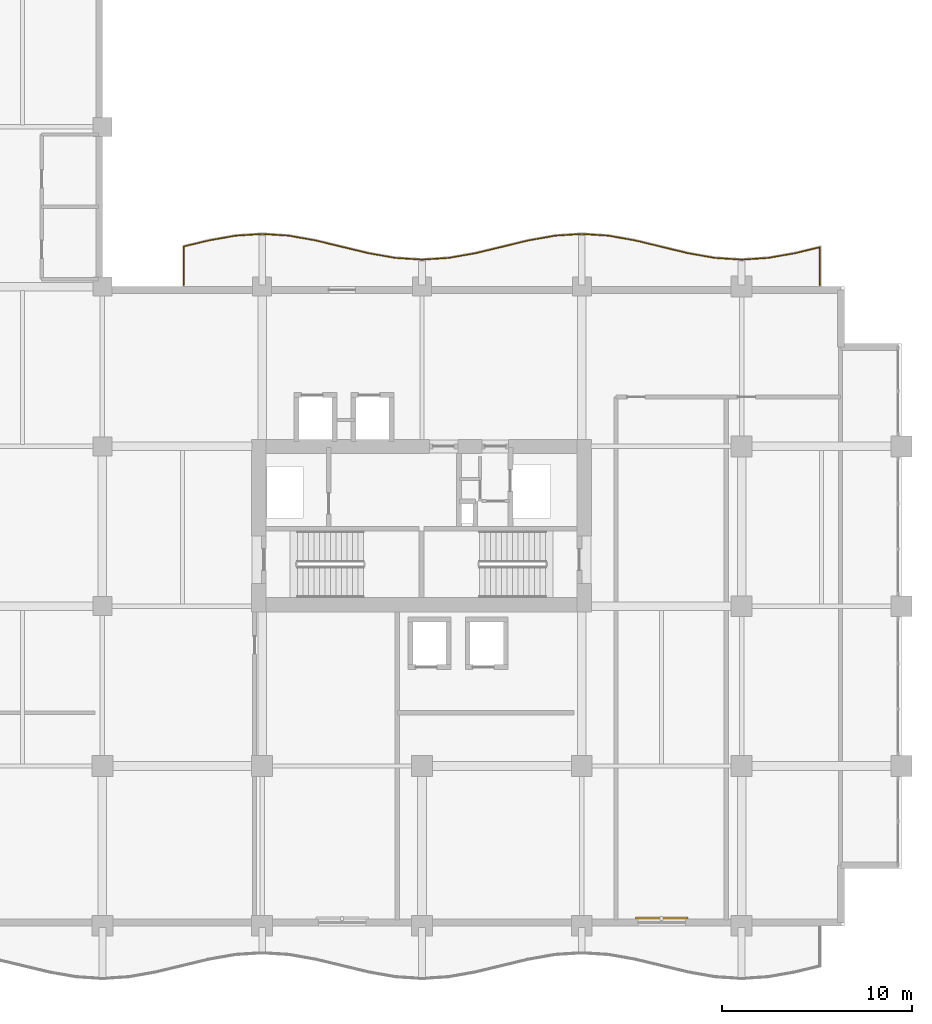
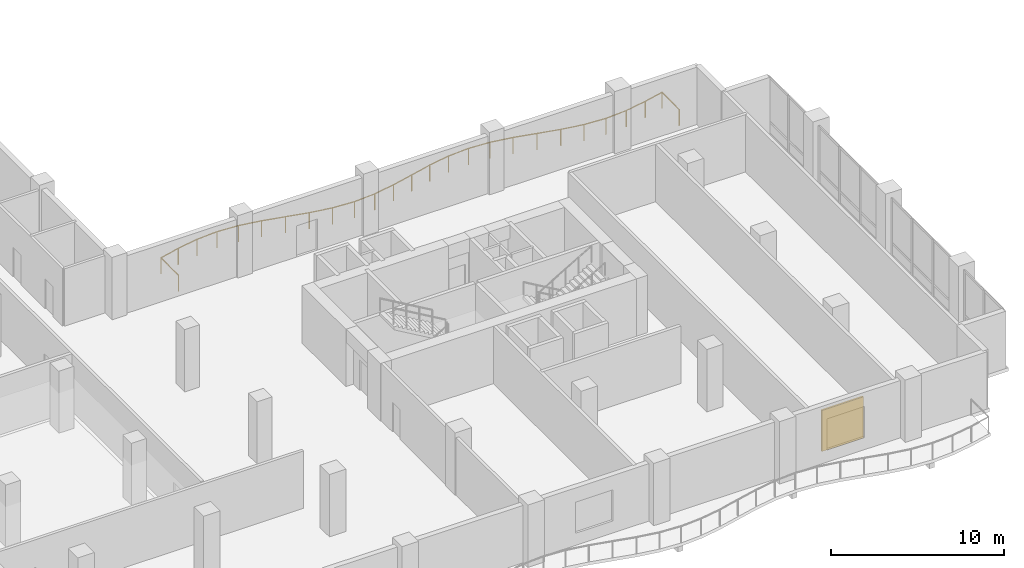
# One storey, part 25 of 25: 1 railing, 1 shading device.
"""IFC4 building model written with IfcOpenShell, lengths in metres."""

import ifcopenshell
import ifcopenshell.guid

model = None  # the IFC model being written
_history = None  # IfcOwnerHistory: only IFC2X3 demands one
_inside = {}  # id of a spatial element -> (the spatial element, [elements in it])
_under = {}  # id of a project, library or spatial element -> (it, [spatial elements below it])
_declared = {}  # id of a project -> (the project, [libraries it declares])
_typed = {}  # id of a type object -> (the type object, [elements of that type])
_made_of = {}  # id of a material, layer set ... -> (it, [elements and type objects made of it])


def new_model(schema):
    """Start an empty IFC model of exactly this schema.

    Asked for "IFC4X3", IfcOpenShell would pick the latest addendum, in which some entities
    have other attributes; the version numbers below select the first issue.
    IFC2X3 requires an IfcOwnerHistory on every rooted entity: one is made here for all.
    """
    global model, _history
    if schema == "IFC4X3":
        model = ifcopenshell.file(schema_version=(4, 3, 0, 0))
    else:
        model = ifcopenshell.file(schema=schema)
    _inside.clear()
    _under.clear()
    _declared.clear()
    _typed.clear()
    _made_of.clear()
    _history = None
    if model.schema == "IFC2X3":
        org = make("IfcOrganization", Name="unknown")
        user = make(
            "IfcPersonAndOrganization",
            ThePerson=make("IfcPerson", FamilyName="unknown"),
            TheOrganization=org,
        )
        app = make(
            "IfcApplication",
            ApplicationDeveloper=org,
            Version="unknown",
            ApplicationFullName="unknown",
            ApplicationIdentifier="unknown",
        )
        _history = make(
            "IfcOwnerHistory",
            OwningUser=user,
            OwningApplication=app,
            ChangeAction="ADDED",
            CreationDate=0,
        )
    return model


def make(cls, **values):
    """One entity of the class cls with the attributes given. An attribute that is None is left unset."""
    return model.create_entity(
        cls, **{name: value for name, value in values.items() if value is not None}
    )


def rooted(cls, **values):
    """An entity with a GlobalId (a new one), such as an element, a storey or a relation."""
    return make(cls, GlobalId=ifcopenshell.guid.new(), OwnerHistory=_history, **values)


def si_unit(unit_type, name, prefix=None):
    """IfcSIUnit, for example si_unit("LENGTHUNIT", "METRE", prefix="MILLI")."""
    return make("IfcSIUnit", UnitType=unit_type, Prefix=prefix, Name=name)


def assignment(units):
    """IfcUnitAssignment: the units of a project."""
    return None if units is None else make("IfcUnitAssignment", Units=units)


def point(xyz):
    """IfcCartesianPoint."""
    return None if xyz is None else make("IfcCartesianPoint", Coordinates=xyz)


def direction(xyz):
    """IfcDirection."""
    return None if xyz is None else make("IfcDirection", DirectionRatios=xyz)


def frame(location, z_axis=None, x_axis=None):
    """IfcAxis2Placement3D, a coordinate frame: its origin and axes. An axis left out is left unset."""
    return make(
        "IfcAxis2Placement3D",
        Location=point(location),
        Axis=direction(z_axis),
        RefDirection=direction(x_axis),
    )


def frame_2d(location, x_axis=None):
    """IfcAxis2Placement2D, a coordinate frame in the plane: its origin and x axis."""
    return make(
        "IfcAxis2Placement2D", Location=point(location), RefDirection=direction(x_axis)
    )


def origin():
    """The frame at (0, 0, 0) with its axes left unset."""
    return frame((0.0, 0.0, 0.0))


def origin_2d():
    """The frame at (0, 0) in the plane with its x axis left unset."""
    return frame_2d((0.0, 0.0))


def place(relative_to, where):
    """IfcLocalPlacement: puts the frame where relative to a parent placement (None: the world)."""
    return make(
        "IfcLocalPlacement", PlacementRelTo=relative_to, RelativePlacement=where
    )


def context(
    kind, dimensions, precision=None, world=None, true_north=None, identifier=None
):
    """IfcGeometricRepresentationContext, for example the 3D "Model" context."""
    return make(
        "IfcGeometricRepresentationContext",
        ContextIdentifier=identifier,
        ContextType=kind,
        CoordinateSpaceDimension=dimensions,
        Precision=precision,
        WorldCoordinateSystem=world,
        TrueNorth=true_north,
    )


def subcontext(parent, identifier, kind, view, scale=None):
    """IfcGeometricRepresentationSubContext, for example "Body" below "Model"."""
    return make(
        "IfcGeometricRepresentationSubContext",
        ContextIdentifier=identifier,
        ContextType=kind,
        ParentContext=parent,
        TargetScale=scale,
        TargetView=view,
    )


def project(units=None, contexts=None):
    """IfcProject with its units and contexts."""
    return rooted(
        "IfcProject",
        Name="project",
        RepresentationContexts=contexts,
        UnitsInContext=assignment(units),
    )


def spatial(cls, under=None, at=None, **own):
    """A site, building, storey or space (cls), placed at a placement, below another one or the project."""
    s = rooted(cls, ObjectPlacement=at, **own)
    if under is not None:
        _under.setdefault(under.id(), (under, []))[1].append(s)
    return s


def profile(cls, at=None, kind="AREA", **sizes):
    """A parametric profile (cls). Its sizes go by their IFC names, for example OverallWidth=200.0."""
    return make(cls, ProfileType=kind, Position=at, **sizes)


def rectangle(**sizes):
    """IfcRectangleProfileDef."""
    return profile("IfcRectangleProfileDef", **sizes)


def circle(**sizes):
    """IfcCircleProfileDef."""
    return profile("IfcCircleProfileDef", **sizes)


def extrude(swept, where, along, depth):
    """IfcExtrudedAreaSolid: the profile swept, set in the frame where, extruded along a direction by depth."""
    return make(
        "IfcExtrudedAreaSolid",
        SweptArea=swept,
        Position=where,
        ExtrudedDirection=direction(along),
        Depth=depth,
    )


def shape(context_of_items, identifier, shape_type, items):
    """IfcShapeRepresentation: the items that make up one representation, for example the "Body"."""
    return make(
        "IfcShapeRepresentation",
        ContextOfItems=context_of_items,
        RepresentationIdentifier=identifier,
        RepresentationType=shape_type,
        Items=items,
    )


def material(Name=None, Category=None):
    """IfcMaterial."""
    return make("IfcMaterial", Name=Name, Category=Category)


def layer(
    of_material, thickness, ventilated=None, Name=None, Category=None, Priority=None
):
    """IfcMaterialLayer: one layer of a wall or slab, of a material (None: an air gap)."""
    return make(
        "IfcMaterialLayer",
        Material=of_material,
        LayerThickness=thickness,
        IsVentilated=ventilated,
        Name=Name,
        Category=Category,
        Priority=Priority,
    )


def layer_set(layers, Name=None):
    """IfcMaterialLayerSet."""
    return make("IfcMaterialLayerSet", MaterialLayers=layers, LayerSetName=Name)


def made_of(thing, what):
    """Note that an element or type object is made of a material, layer set ...; save() writes the relation."""
    if what is not None:
        _made_of.setdefault(what.id(), (what, []))[1].append(thing)
    return thing


def type_object(cls, material=None, **own):
    """A type object (cls), such as IfcWallType, which elements share."""
    return made_of(rooted(cls, **own), material)


def element(
    cls,
    number,
    at=None,
    inside=None,
    cuts=None,
    type_object=None,
    material=None,
    context=None,
    identifier="Body",
    shape_type=None,
    held_by="IfcProductDefinitionShape",
    body=None,
    shapes=None,
    **own,
):
    """One element of the class cls, such as IfcWall. Its Tag is "e" and its number.

    at: its placement. inside: the storey or other place that contains it. cuts: it is an
    opening in that element (IfcRelVoidsElement). A single representation is given by context,
    identifier, shape_type and body (its items); several are given by shapes. held_by: the class
    of the entity that holds the representations. save() writes the other relations.
    """
    e = rooted(cls, Tag="e%d" % number, ObjectPlacement=at, **own)
    if body is not None:
        shapes = [shape(context, identifier, shape_type, body)]
    if shapes is not None:
        e.Representation = make(held_by, Representations=shapes)
    if inside is not None:
        _inside.setdefault(inside.id(), (inside, []))[1].append(e)
    if cuts is not None:
        rooted(
            "IfcRelVoidsElement", RelatingBuildingElement=cuts, RelatedOpeningElement=e
        )
    if type_object is not None:
        _typed.setdefault(type_object.id(), (type_object, []))[1].append(e)
    return made_of(e, material)


def aggregate(whole, parts):
    """IfcRelAggregates: a whole, such as a stair, and the parts it consists of."""
    return rooted("IfcRelAggregates", RelatingObject=whole, RelatedObjects=parts)


def save(model, path):
    """Write the relations noted so far, then the file.

    IfcRelAggregates (storeys below a building ...), IfcRelContainedInSpatialStructure (elements
    in a storey), IfcRelDefinesByType, IfcRelAssociatesMaterial and IfcRelDeclares: one each for
    every whole, place, type object, material and project.
    """
    for whole, parts in _under.values():
        aggregate(whole, parts)
    for where, things in _inside.values():
        rooted(
            "IfcRelContainedInSpatialStructure",
            RelatedElements=things,
            RelatingStructure=where,
        )
    for kind, things in _typed.values():
        rooted("IfcRelDefinesByType", RelatedObjects=things, RelatingType=kind)
    for what, things in _made_of.values():
        rooted("IfcRelAssociatesMaterial", RelatedObjects=things, RelatingMaterial=what)
    for by, libraries in _declared.values():
        rooted("IfcRelDeclares", RelatingContext=by, RelatedDefinitions=libraries)
    model.write(path)


model = new_model("IFC4")

# Units and contexts
model_context = context("Model", 3, precision=1e-05, world=origin(), true_north=direction((0.0, 1.0)))
body_context = subcontext(model_context, "Body", "Model", "MODEL_VIEW")
ifc_project = project(units=[si_unit("LENGTHUNIT", "METRE"), si_unit("AREAUNIT", "SQUARE_METRE"), si_unit("VOLUMEUNIT", "CUBIC_METRE"), si_unit("PLANEANGLEUNIT", "RADIAN"), si_unit("MASSUNIT", "GRAM", prefix="KILO")], contexts=[model_context])

# Site, building, storey
site_placement = place(None, origin())
site = spatial("IfcSite", under=ifc_project, at=site_placement, CompositionType="ELEMENT")
building_placement = place(site_placement, origin())
building = spatial("IfcBuilding", under=site, at=building_placement, Name="Koriwani Terraces Tower", CompositionType="ELEMENT")
storey_placement = place(building_placement, frame((0.0, 0.0, 157.60009765625)))
storey = spatial("IfcBuildingStorey", under=building, at=storey_placement, Name="L38", CompositionType="ELEMENT", Elevation=157.60009765625)

# Railing
ifc_material_1 = material(Name="Steel ASTM A572 Grade 50", Category="steel")
railing_type = type_object("IfcRailingType", Name="GUARD_BALUSTRADE_1150", PredefinedType="BALUSTRADE", material=ifc_material_1)
railing_placement = place(storey_placement, frame((71.320068359375, 33.679931640625, 0.0)))
element("IfcRailing", 1, at=railing_placement, inside=storey, type_object=railing_type, Name="L38 Balcony Perimeter Safety Balustrade (NE)", PredefinedType="BALUSTRADE", context=body_context, shape_type="SweptSolid", body=[
    extrude(circle(Radius=0.02392578125, at=origin_2d()), frame((0.0, 0.0, 1.1259765625), z_axis=(0.0, 1.0, 0.0), x_axis=(-1.0, 0.0, 0.0)), (0.0, 0.0, 1.0), 1.993408203125),
    extrude(circle(Radius=0.02392578125, at=origin_2d()), frame((0.0, 1.993408203125, 1.1259765625), z_axis=(-0.972163766848, -0.234302390999, 0.0), x_axis=(0.234302390999, -0.972163766848, 0.0)), (0.0, 0.0, 1.0), 1.341064453125),
    extrude(circle(Radius=0.02392578125, at=origin_2d()), frame((-1.3037109375, 1.67919921875, 1.1259765625), z_axis=(-0.984807637937, -0.173648830292, 0.0), x_axis=(0.173648830292, -0.984807637937, 0.0)), (0.0, 0.0, 1.0), 1.428466796875),
    extrude(circle(Radius=0.02392578125, at=origin_2d()), frame((-2.71044921875, 1.43115234375, 1.1259765625), z_axis=(-0.997931036226, -0.064293443969, 0.0), x_axis=(0.064293443969, -0.997931036226, 0.0)), (0.0, 0.0, 1.0), 1.41259765625),
    extrude(circle(Radius=0.02392578125, at=origin_2d()), frame((-4.1201171875, 1.34033203125, 1.1259765625), z_axis=(-0.997930321615, 0.064304534842, 0.0), x_axis=(-0.064304534842, -0.997930321615, 0.0)), (0.0, 0.0, 1.0), 1.412353515625),
    extrude(circle(Radius=0.02392578125, at=origin_2d()), frame((-5.529541015625, 1.43115234375, 1.1259765625), z_axis=(-0.984807637937, 0.173648830292, 0.0), x_axis=(-0.173648830292, -0.984807637937, 0.0)), (0.0, 0.0, 1.0), 1.428466796875),
    extrude(circle(Radius=0.02392578125, at=origin_2d()), frame((-6.936279296875, 1.67919921875, 1.1259765625), z_axis=(-0.972147505112, 0.234369853661, 0.0), x_axis=(-0.234369853661, -0.972147505112, 0.0)), (0.0, 0.0, 1.0), 2.88037109375),
    extrude(circle(Radius=0.02392578125, at=origin_2d()), frame((-9.736328125, 2.354248046875, 1.1259765625), z_axis=(-0.984787032938, 0.173765646078, 0.0), x_axis=(-0.173765646078, -0.984787032938, 0.0)), (0.0, 0.0, 1.0), 1.414794921875),
    extrude(circle(Radius=0.02392578125, at=origin_2d()), frame((-11.129638671875, 2.60009765625, 1.1259765625), z_axis=(-0.997918766852, 0.064483600738, 0.0), x_axis=(-0.064483600738, -0.997918766852, 0.0)), (0.0, 0.0, 1.0), 1.393310546875),
    extrude(circle(Radius=0.02392578125, at=origin_2d()), frame((-12.52001953125, 2.68994140625, 1.1259765625), z_axis=(-0.997918766852, -0.064483600738, 0.0), x_axis=(0.064483600738, -0.997918766852, 0.0)), (0.0, 0.0, 1.0), 1.393310546875),
    extrude(circle(Radius=0.02392578125, at=origin_2d()), frame((-13.910400390625, 2.60009765625, 1.1259765625), z_axis=(-0.984787032938, -0.173765646078, 0.0), x_axis=(0.173765646078, -0.984787032938, 0.0)), (0.0, 0.0, 1.0), 1.414794921875),
    extrude(circle(Radius=0.02392578125, at=origin_2d()), frame((-15.3037109375, 2.354248046875, 1.1259765625), z_axis=(-0.972147505112, -0.234369853661, 0.0), x_axis=(0.234369853661, -0.972147505112, 0.0)), (0.0, 0.0, 1.0), 2.88037109375),
    extrude(circle(Radius=0.02392578125, at=origin_2d()), frame((-18.103759765625, 1.67919921875, 1.1259765625), z_axis=(-0.984807637937, -0.173648830292, 0.0), x_axis=(0.173648830292, -0.984807637937, 0.0)), (0.0, 0.0, 1.0), 1.428466796875),
    extrude(circle(Radius=0.02392578125, at=origin_2d()), frame((-19.510498046875, 1.43115234375, 1.1259765625), z_axis=(-0.997931036226, -0.064293443969, 0.0), x_axis=(0.064293443969, -0.997931036226, 0.0)), (0.0, 0.0, 1.0), 1.41259765625),
    extrude(circle(Radius=0.02392578125, at=origin_2d()), frame((-20.920166015625, 1.34033203125, 1.1259765625), z_axis=(-0.997930321615, 0.064304534842, 0.0), x_axis=(-0.064304534842, -0.997930321615, 0.0)), (0.0, 0.0, 1.0), 1.412353515625),
    extrude(circle(Radius=0.02392578125, at=origin_2d()), frame((-22.32958984375, 1.43115234375, 1.1259765625), z_axis=(-0.984807637937, 0.173648830292, 0.0), x_axis=(-0.173648830292, -0.984807637937, 0.0)), (0.0, 0.0, 1.0), 1.428466796875),
    extrude(circle(Radius=0.02392578125, at=origin_2d()), frame((-23.736328125, 1.67919921875, 1.1259765625), z_axis=(-0.972147505112, 0.234369853661, 0.0), x_axis=(-0.234369853661, -0.972147505112, 0.0)), (0.0, 0.0, 1.0), 2.88037109375),
    extrude(circle(Radius=0.02392578125, at=origin_2d()), frame((-26.536376953125, 2.354248046875, 1.1259765625), z_axis=(-0.984787032938, 0.173765646078, 0.0), x_axis=(-0.173765646078, -0.984787032938, 0.0)), (0.0, 0.0, 1.0), 1.414794921875),
    extrude(circle(Radius=0.02392578125, at=origin_2d()), frame((-27.9296875, 2.60009765625, 1.1259765625), z_axis=(-0.997918766852, 0.064483600738, 0.0), x_axis=(-0.064483600738, -0.997918766852, 0.0)), (0.0, 0.0, 1.0), 1.393310546875),
    extrude(circle(Radius=0.02392578125, at=origin_2d()), frame((-29.320068359375, 2.68994140625, 1.1259765625), z_axis=(-0.997918766852, -0.064483600738, 0.0), x_axis=(0.064483600738, -0.997918766852, 0.0)), (0.0, 0.0, 1.0), 1.393310546875),
    extrude(circle(Radius=0.02392578125, at=origin_2d()), frame((-30.71044921875, 2.60009765625, 1.1259765625), z_axis=(-0.984787032938, -0.173765646078, 0.0), x_axis=(0.173765646078, -0.984787032938, 0.0)), (0.0, 0.0, 1.0), 1.414794921875),
    extrude(circle(Radius=0.02392578125, at=origin_2d()), frame((-32.103759765625, 2.354248046875, 1.1259765625), z_axis=(-0.972135261578, -0.234420633044, 0.0), x_axis=(0.234420633044, -0.972135261578, 0.0)), (0.0, 0.0, 1.0), 1.374755859375),
    extrude(circle(Radius=0.02392578125, at=origin_2d()), frame((-33.440185546875, 2.031982421875, 1.1259765625), z_axis=(0.0, -1.0, 0.0), x_axis=(1.0, 0.0, 0.0)), (0.0, 0.0, 1.0), 2.031982421875),
    extrude(circle(Radius=0.02099609375, at=origin_2d()), origin(), (0.0, 0.0, 1.0), 1.101806640625),
    extrude(circle(Radius=0.02099609375, at=origin_2d()), frame((0.0, 1.993408203125, 0.0)), (0.0, 0.0, 1.0), 1.101806640625),
    extrude(circle(Radius=0.02099609375, at=origin_2d()), frame((-1.3037109375, 1.67919921875, 0.0)), (0.0, 0.0, 1.0), 1.101806640625),
    extrude(circle(Radius=0.02099609375, at=origin_2d()), frame((-2.71044921875, 1.43115234375, 0.0)), (0.0, 0.0, 1.0), 1.101806640625),
    extrude(circle(Radius=0.02099609375, at=origin_2d()), frame((-4.1201171875, 1.34033203125, 0.0)), (0.0, 0.0, 1.0), 1.101806640625),
    extrude(circle(Radius=0.02099609375, at=origin_2d()), frame((-5.529541015625, 1.43115234375, 0.0)), (0.0, 0.0, 1.0), 1.101806640625),
    extrude(circle(Radius=0.02099609375, at=origin_2d()), frame((-6.936279296875, 1.67919921875, 0.0)), (0.0, 0.0, 1.0), 1.101806640625),
    extrude(circle(Radius=0.02099609375, at=origin_2d()), frame((-8.33642578125, 2.0166015625, 0.0)), (0.0, 0.0, 1.0), 1.101806640625),
    extrude(circle(Radius=0.02099609375, at=origin_2d()), frame((-9.736328125, 2.354248046875, 0.0)), (0.0, 0.0, 1.0), 1.101806640625),
    extrude(circle(Radius=0.02099609375, at=origin_2d()), frame((-11.129638671875, 2.60009765625, 0.0)), (0.0, 0.0, 1.0), 1.101806640625),
    extrude(circle(Radius=0.02099609375, at=origin_2d()), frame((-12.52001953125, 2.68994140625, 0.0)), (0.0, 0.0, 1.0), 1.101806640625),
    extrude(circle(Radius=0.02099609375, at=origin_2d()), frame((-13.910400390625, 2.60009765625, 0.0)), (0.0, 0.0, 1.0), 1.101806640625),
    extrude(circle(Radius=0.02099609375, at=origin_2d()), frame((-15.3037109375, 2.354248046875, 0.0)), (0.0, 0.0, 1.0), 1.101806640625),
    extrude(circle(Radius=0.02099609375, at=origin_2d()), frame((-16.70361328125, 2.0166015625, 0.0)), (0.0, 0.0, 1.0), 1.101806640625),
    extrude(circle(Radius=0.02099609375, at=origin_2d()), frame((-18.103759765625, 1.67919921875, 0.0)), (0.0, 0.0, 1.0), 1.101806640625),
    extrude(circle(Radius=0.02099609375, at=origin_2d()), frame((-19.510498046875, 1.43115234375, 0.0)), (0.0, 0.0, 1.0), 1.101806640625),
    extrude(circle(Radius=0.02099609375, at=origin_2d()), frame((-20.920166015625, 1.34033203125, 0.0)), (0.0, 0.0, 1.0), 1.101806640625),
    extrude(circle(Radius=0.02099609375, at=origin_2d()), frame((-22.32958984375, 1.43115234375, 0.0)), (0.0, 0.0, 1.0), 1.101806640625),
    extrude(circle(Radius=0.02099609375, at=origin_2d()), frame((-23.736328125, 1.67919921875, 0.0)), (0.0, 0.0, 1.0), 1.101806640625),
    extrude(circle(Radius=0.02099609375, at=origin_2d()), frame((-25.13623046875, 2.0166015625, 0.0)), (0.0, 0.0, 1.0), 1.101806640625),
    extrude(circle(Radius=0.02099609375, at=origin_2d()), frame((-26.536376953125, 2.354248046875, 0.0)), (0.0, 0.0, 1.0), 1.101806640625),
    extrude(circle(Radius=0.02099609375, at=origin_2d()), frame((-27.9296875, 2.60009765625, 0.0)), (0.0, 0.0, 1.0), 1.101806640625),
    extrude(circle(Radius=0.02099609375, at=origin_2d()), frame((-29.320068359375, 2.68994140625, 0.0)), (0.0, 0.0, 1.0), 1.101806640625),
    extrude(circle(Radius=0.02099609375, at=origin_2d()), frame((-30.71044921875, 2.60009765625, 0.0)), (0.0, 0.0, 1.0), 1.101806640625),
    extrude(circle(Radius=0.02099609375, at=origin_2d()), frame((-32.103759765625, 2.354248046875, 0.0)), (0.0, 0.0, 1.0), 1.101806640625),
    extrude(circle(Radius=0.02099609375, at=origin_2d()), frame((-33.440185546875, 2.031982421875, 0.0)), (0.0, 0.0, 1.0), 1.101806640625),
    extrude(circle(Radius=0.02099609375, at=origin_2d()), frame((-33.440185546875, 0.0, 0.0)), (0.0, 0.0, 1.0), 1.101806640625),
])

# Shading device
ifc_material_2 = material(Name="Extruded Terracotta Clay", Category="masonry")
ifc_layer = layer(ifc_material_2, 0.1201171875, Name="Extruded Terracotta Clay")
ifc_layer_set = layer_set([ifc_layer], Name="Extruded Terracotta Clay")
shading_device_type = type_object("IfcShadingDeviceType", Name="TERRACOTTA_BAGUETTE_SCREEN_2800", PredefinedType="USERDEFINED", material=ifc_layer_set)
shading_device_placement = place(storey_placement, frame((63.0, 0.405029296875, 0.574951171875), z_axis=(0.0, 0.0, 1.0), x_axis=(-1.0, 0.0, 0.0)))
element("IfcShadingDevice", 2, at=shading_device_placement, inside=storey, type_object=shading_device_type, Name="L38 Extruded Terracotta Baguette Screen (S-21)", ObjectType="BAGUETTE", PredefinedType="USERDEFINED", context=body_context, shape_type="SweptSolid", body=[
    extrude(rectangle(XDim=2.760009765625, YDim=0.1201171875, at=origin_2d()), origin(), (0.0, 0.0, 1.0), 2.89990234375),
])

save(model, "model.ifc")
